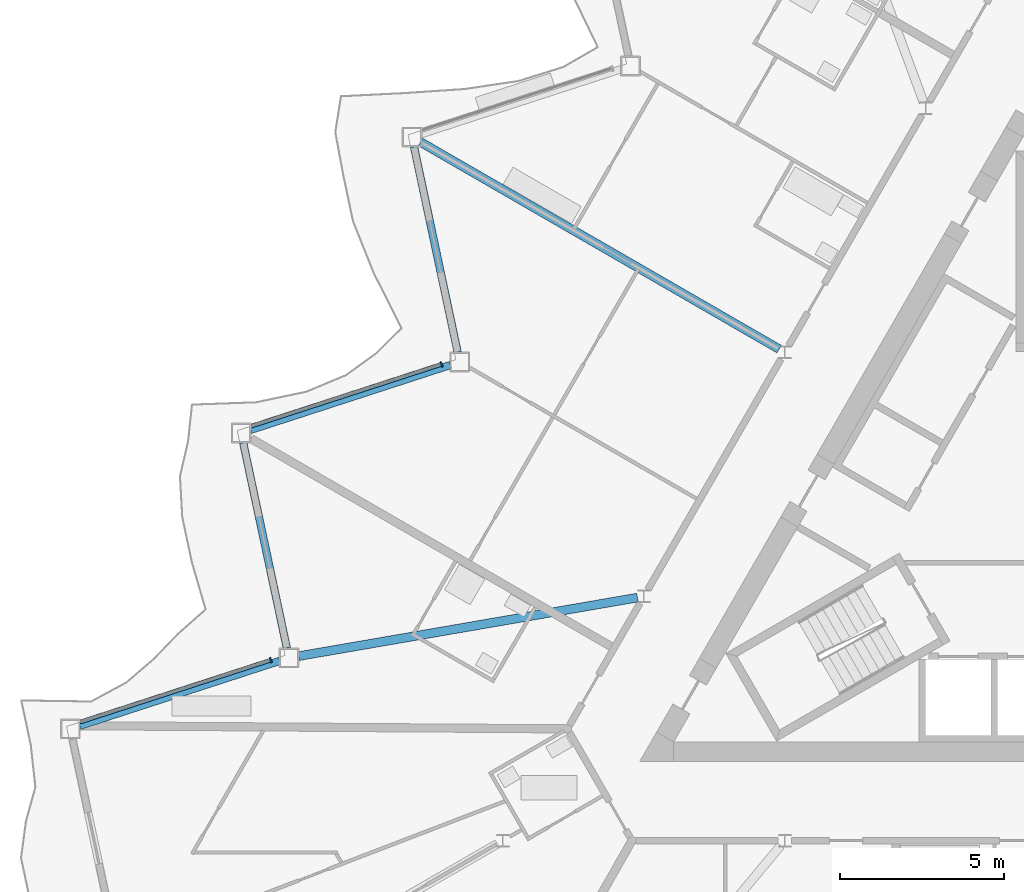
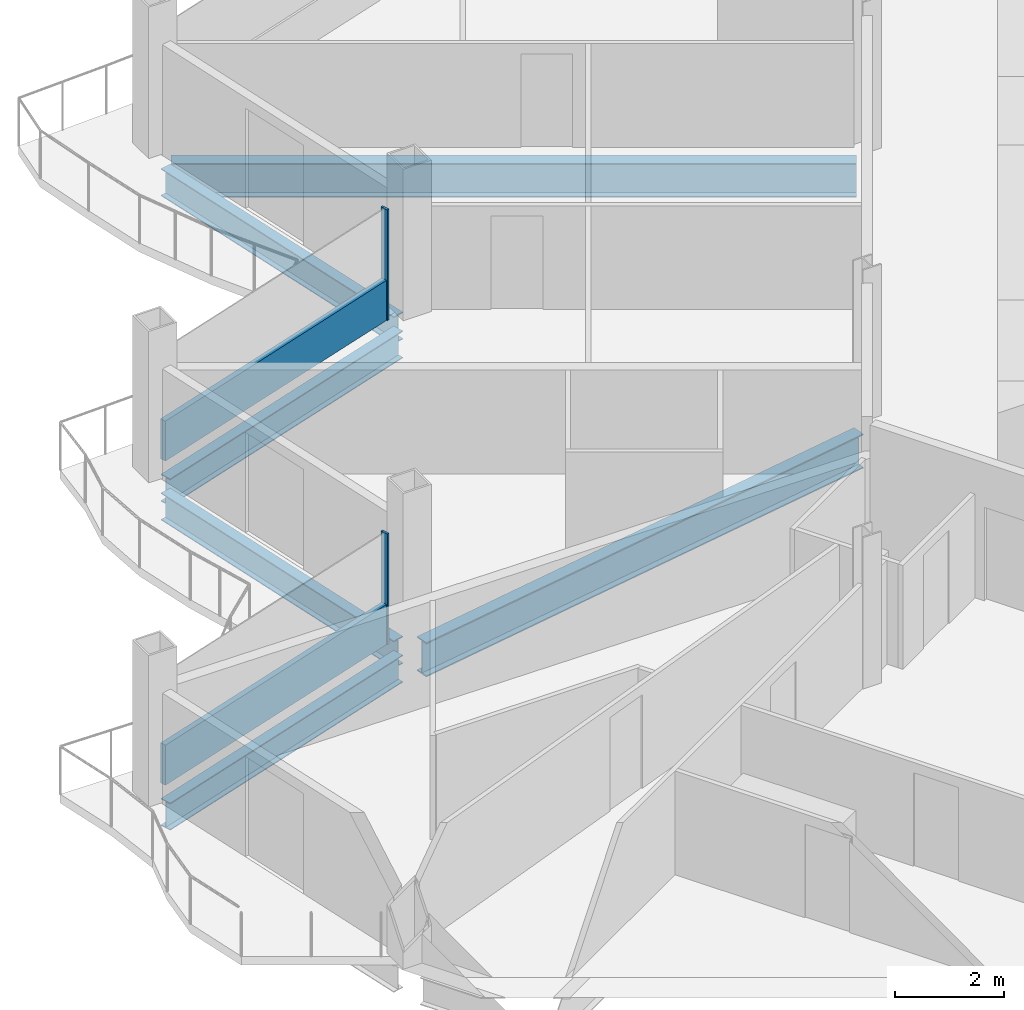
# One storey, part 6 of 26: 6 beams, 4 members, 2 elements without a shape of their own.
"""IFC4 building model written with IfcOpenShell, lengths in metres."""

from ifc_helpers import new_model, si_unit, direction, frame, origin, origin_2d, place, context, subcontext, project, spatial, rectangle, i_section, extrude, material, layer, layer_set, material_profile, profile_set, type_object, element, aggregate, save


model = new_model("IFC4")

# Units and contexts
model_context = context("Model", 3, precision=1e-05, world=origin(), true_north=direction((0.0, 1.0)))
body_context = subcontext(model_context, "Body", "Model", "MODEL_VIEW")
ifc_project = project(units=[si_unit("LENGTHUNIT", "METRE"), si_unit("AREAUNIT", "SQUARE_METRE"), si_unit("VOLUMEUNIT", "CUBIC_METRE"), si_unit("PLANEANGLEUNIT", "RADIAN"), si_unit("MASSUNIT", "GRAM", prefix="KILO")], contexts=[model_context])

# Site, building, storey
site_placement = place(None, origin())
site = spatial("IfcSite", under=ifc_project, at=site_placement, CompositionType="ELEMENT")
building_placement = place(site_placement, origin())
building = spatial("IfcBuilding", under=site, at=building_placement, Name="Cormorant Prow Tower", CompositionType="ELEMENT")
storey_placement = place(building_placement, frame((0.0, 0.0, 342.60009765625)))
storey = spatial("IfcBuildingStorey", under=building, at=storey_placement, Name="L77", CompositionType="ELEMENT", Elevation=342.60009765625)

# Beams
ifc_material_1 = material(Name="Structural steel ASTM A992 Gr 50", Category="steel")
ifc_material_profile_1 = material_profile(ifc_material_1, i_section(OverallWidth=0.267822265625, OverallDepth=0.77001953125, WebThickness=0.015625, FlangeThickness=0.025390625, at=origin_2d()), Name="W30x132")
ifc_profile_set_1 = profile_set([ifc_material_profile_1], Name="Structural steel ASTM A992 Gr 50")
beam_type_1 = type_object("IfcBeamType", Name="Radial floor beam W30x132", PredefinedType="BEAM", material=ifc_profile_set_1)
beam_1_placement = place(storey_placement, frame((-8.749755859375, 5.051513671875, -0.68505859375), z_axis=(-0.866021086443, 0.50000747778, 0.0), x_axis=(-0.50000747778, -0.866021086443, 0.0)))
element("IfcBeam", 1, at=beam_1_placement, inside=storey, type_object=beam_type_1, Name="Radial floor beam FB3 3 L77", PredefinedType="BEAM", context=body_context, shape_type="SweptSolid", body=[
    extrude(i_section(OverallWidth=0.267822265625, OverallDepth=0.77001953125, WebThickness=0.015625, FlangeThickness=0.025390625, at=origin_2d()), origin(), (0.0, 0.0, 1.0), 12.604736328125),
])
beam_2_placement = place(storey_placement, frame((-13.0625, -2.510009765625, -0.68505859375), z_axis=(-0.985379592304, -0.170373293304, 0.0), x_axis=(0.170373293304, -0.985379592304, 0.0)))
element("IfcBeam", 2, at=beam_2_placement, inside=storey, type_object=beam_type_1, Name="Radial floor beam FB3 4 L77", PredefinedType="BEAM", context=body_context, shape_type="SweptSolid", body=[
    extrude(i_section(OverallWidth=0.267822265625, OverallDepth=0.77001953125, WebThickness=0.015625, FlangeThickness=0.025390625, at=origin_2d()), origin(), (0.0, 0.0, 1.0), 10.465087890625),
])

# Curtain wall, member
ifc_material_2 = material(Name="Aluminium 6063-T6", Category="aluminium")
ifc_layer = layer(ifc_material_2, 0.159912109375)
ifc_layer_set = layer_set([ifc_layer], Name="Aluminium 6063-T6")
curtain_wall_type = type_object("IfcCurtainWallType", Name="Residential unitised curtain wall 160", PredefinedType="NOTDEFINED", material=ifc_layer_set)
curtain_wall_1_placement = place(storey_placement, origin())
curtain_wall_1 = element("IfcCurtainWall", 3, at=curtain_wall_1_placement, inside=storey, type_object=curtain_wall_type, Name="Residential curtain wall WNW06", PredefinedType="NOTDEFINED")
ifc_material_3 = material(Name="Aluminium 6063-T6", Category="aluminium")
ifc_material_profile_2 = material_profile(ifc_material_3, rectangle(XDim=0.159912109375, YDim=0.050048828125, at=origin_2d()), Name="Residential mullion 50x160")
ifc_profile_set_2 = profile_set([ifc_material_profile_2], Name="Aluminium 6063-T6")
member_type_1 = type_object("IfcMemberType", Name="Residential mullion 50x160", PredefinedType="MULLION", material=ifc_profile_set_2)
member_1_placement = place(storey_placement, frame((-19.02685546875, 4.58984375, 0.0), z_axis=(0.0, 0.0, 1.0), x_axis=(0.309017030329, -0.951056504613, 0.0)))
member_1 = element("IfcMember", 4, at=member_1_placement, type_object=member_type_1, Name="Residential mullion WNW06", PredefinedType="MULLION", context=body_context, shape_type="SweptSolid", body=[
    extrude(rectangle(XDim=0.159912109375, YDim=0.050048828125, at=origin_2d()), origin(), (0.0, 0.0, 1.0), 2.48779296875),
])

curtain_wall_2_placement = place(storey_placement, origin())
curtain_wall_2 = element("IfcCurtainWall", 5, at=curtain_wall_2_placement, inside=storey, type_object=curtain_wall_type, Name="Residential curtain wall WNW08", PredefinedType="NOTDEFINED")
member_2_placement = place(storey_placement, frame((-24.224365234375, -4.41259765625, 0.0), z_axis=(0.0, 0.0, 1.0), x_axis=(0.309017072341, -0.951056490963, 0.0)))
member_2 = element("IfcMember", 6, at=member_2_placement, type_object=member_type_1, Name="Residential mullion WNW08", PredefinedType="MULLION", context=body_context, shape_type="SweptSolid", body=[
    extrude(rectangle(XDim=0.159912109375, YDim=0.050048828125, at=origin_2d()), origin(), (0.0, 0.0, 1.0), 2.48779296875),
])

# Member
ifc_material_4 = material(Name="Terracotta", Category="masonry")
ifc_material_profile_3 = material_profile(ifc_material_4, rectangle(XDim=0.1201171875, YDim=0.89990234375, at=origin_2d()), Name="Residential terracotta spandrel rail 120x900")
ifc_profile_set_3 = profile_set([ifc_material_profile_3], Name="Terracotta")
member_type_2 = type_object("IfcMemberType", Name="Residential terracotta spandrel rail 120x900", PredefinedType="USERDEFINED", material=ifc_profile_set_3)
member_3_placement = place(storey_placement, frame((-19.05078125, 4.58203125, 0.449951171875), z_axis=(-0.951050898488, -0.309034283674, 0.0), x_axis=(0.309034283674, -0.951050898488, 0.0)))
member_3 = element("IfcMember", 7, at=member_3_placement, type_object=member_type_2, Name="Residential spandrel rail WNW06", ObjectType="TRANSOM", PredefinedType="USERDEFINED", context=body_context, shape_type="SweptSolid", body=[
    extrude(rectangle(XDim=0.1201171875, YDim=0.89990234375, at=origin_2d()), origin(), (0.0, 0.0, 1.0), 6.075927734375),
])

aggregate(curtain_wall_1, [member_1, member_3])

member_4_placement = place(storey_placement, frame((-24.248291015625, -4.42041015625, 0.449951171875), z_axis=(-0.951062707515, -0.30899793911, 0.0), x_axis=(0.30899793911, -0.951062707515, 0.0)))
member_4 = element("IfcMember", 8, at=member_4_placement, type_object=member_type_2, Name="Residential spandrel rail WNW08", ObjectType="TRANSOM", PredefinedType="USERDEFINED", context=body_context, shape_type="SweptSolid", body=[
    extrude(rectangle(XDim=0.1201171875, YDim=0.89990234375, at=origin_2d()), origin(), (0.0, 0.0, 1.0), 6.075927734375),
])

aggregate(curtain_wall_2, [member_2, member_4])

# Beams
ifc_material_5 = material(Name="Structural steel ASTM A992 Gr 50", Category="steel")
ifc_material_profile_4 = material_profile(ifc_material_5, i_section(OverallWidth=0.22900390625, OverallDepth=0.612060546875, WebThickness=0.011962890625, FlangeThickness=0.01953125, at=origin_2d()), Name="W24x84")
ifc_profile_set_4 = profile_set([ifc_material_profile_4], Name="Structural steel ASTM A992 Gr 50")
beam_type_2 = type_object("IfcBeamType", Name="Spandrel beam W24x84", PredefinedType="SPANDREL", material=ifc_profile_set_4)
beam_3_placement = place(storey_placement, frame((-19.86328125, 11.210693359375, -0.606201171875), z_axis=(0.20791262393, -0.978147402394, 0.0), x_axis=(0.978147402394, 0.20791262393, 0.0)))
element("IfcBeam", 9, at=beam_3_placement, inside=storey, type_object=beam_type_2, Name="Spandrel beam SB3 WNW05-WNW06 L77", PredefinedType="SPANDREL", context=body_context, shape_type="SweptSolid", body=[
    extrude(i_section(OverallWidth=0.22900390625, OverallDepth=0.612060546875, WebThickness=0.011962890625, FlangeThickness=0.01953125, at=origin_2d()), origin(), (0.0, 0.0, 1.0), 6.396240234375),
])
beam_4_placement = place(storey_placement, frame((-18.75634765625, 4.568115234375, -0.606201171875), z_axis=(-0.951064359156, -0.308992855489, 0.0), x_axis=(0.308992855489, -0.951064359156, 0.0)))
element("IfcBeam", 10, at=beam_4_placement, inside=storey, type_object=beam_type_2, Name="Spandrel beam SB3 WNW06-WNW07 L77", PredefinedType="SPANDREL", context=body_context, shape_type="SweptSolid", body=[
    extrude(i_section(OverallWidth=0.22900390625, OverallDepth=0.612060546875, WebThickness=0.011962890625, FlangeThickness=0.01953125, at=origin_2d()), origin(), (0.0, 0.0, 1.0), 6.39599609375),
])
beam_5_placement = place(storey_placement, frame((-25.062255859375, 2.20556640625, -0.606201171875), z_axis=(0.20791262393, -0.978147402394, 0.0), x_axis=(0.978147402394, 0.20791262393, 0.0)))
element("IfcBeam", 11, at=beam_5_placement, inside=storey, type_object=beam_type_2, Name="Spandrel beam SB3 WNW07-WNW08 L77", PredefinedType="SPANDREL", context=body_context, shape_type="SweptSolid", body=[
    extrude(i_section(OverallWidth=0.22900390625, OverallDepth=0.612060546875, WebThickness=0.011962890625, FlangeThickness=0.01953125, at=origin_2d()), origin(), (0.0, 0.0, 1.0), 6.396240234375),
])
beam_6_placement = place(storey_placement, frame((-23.955322265625, -4.43701171875, -0.606201171875), z_axis=(-0.951064359156, -0.308992855489, 0.0), x_axis=(0.308992855489, -0.951064359156, 0.0)))
element("IfcBeam", 12, at=beam_6_placement, inside=storey, type_object=beam_type_2, Name="Spandrel beam SB3 WNW08-WNW09 L77", PredefinedType="SPANDREL", context=body_context, shape_type="SweptSolid", body=[
    extrude(i_section(OverallWidth=0.22900390625, OverallDepth=0.612060546875, WebThickness=0.011962890625, FlangeThickness=0.01953125, at=origin_2d()), origin(), (0.0, 0.0, 1.0), 6.39599609375),
])

save(model, "model.ifc")
